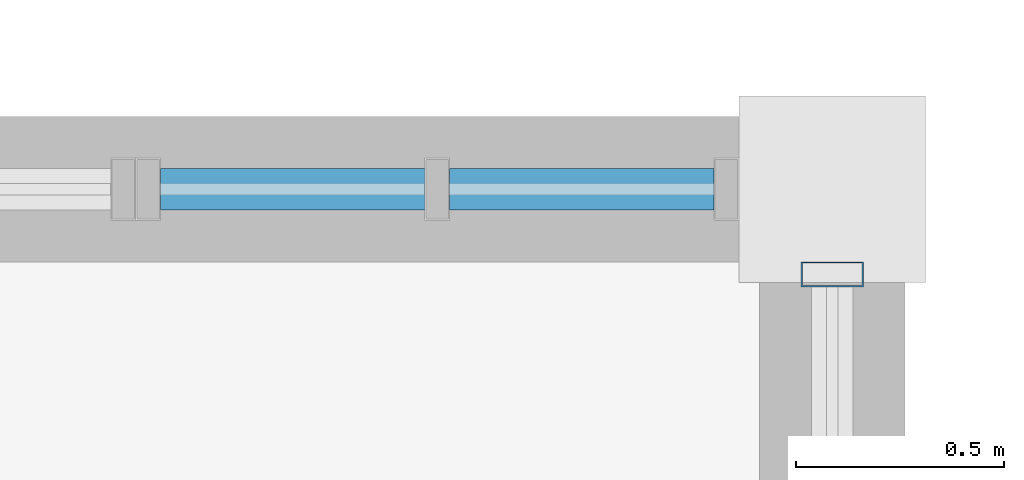
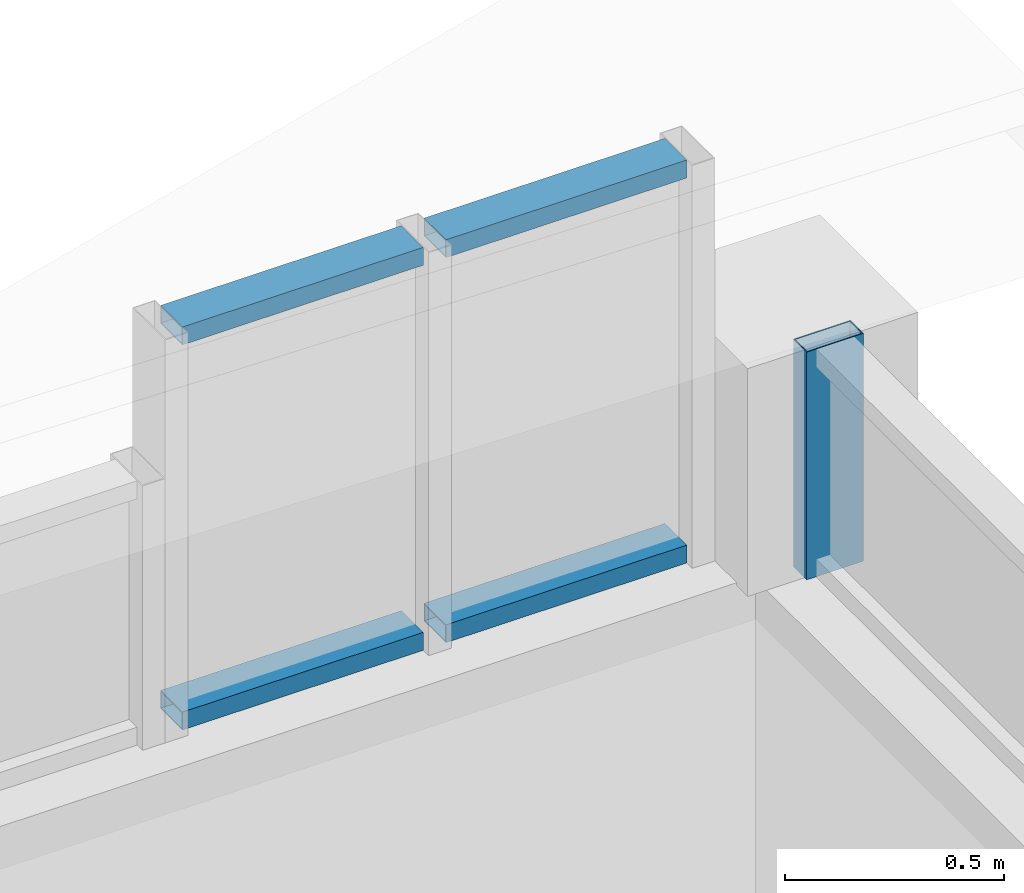
# One storey, part 50 of 92: 5 members, 2 elements without a shape of their own.
"""IFC4 building model written with IfcOpenShell, lengths in metres."""

from ifc_helpers import new_model, si_unit, direction, frame, origin, origin_2d, place, context, subcontext, project, spatial, hollow_rectangle, extrude, material, material_profile, profile_set, type_object, element, aggregate, save


model = new_model("IFC4")

# Units and contexts
model_context = context("Model", 3, precision=1e-05, world=origin(), true_north=direction((0.0, 1.0)))
body_context = subcontext(model_context, "Body", "Model", "MODEL_VIEW")
ifc_project = project(units=[si_unit("LENGTHUNIT", "METRE"), si_unit("AREAUNIT", "SQUARE_METRE"), si_unit("VOLUMEUNIT", "CUBIC_METRE"), si_unit("PLANEANGLEUNIT", "RADIAN"), si_unit("MASSUNIT", "GRAM", prefix="KILO")], contexts=[model_context])

# Site, building, storey
site_placement = place(None, origin())
site = spatial("IfcSite", under=ifc_project, at=site_placement, CompositionType="ELEMENT")
building_placement = place(site_placement, origin())
building = spatial("IfcBuilding", under=site, at=building_placement, Name="Laocheng Heights Fire and Rescue Headquarters", CompositionType="ELEMENT")
storey_placement = place(building_placement, frame((0.0, 0.0, 12.60009765625)))
storey = spatial("IfcBuildingStorey", under=building, at=storey_placement, Name="L03", CompositionType="ELEMENT", Elevation=12.60009765625)

# Curtain wall, member
ifc_material_1 = material(Name="Dark anodised aluminium unitised curtain wall, low-e double glazing", Category="aluminium")
curtain_wall_type_1 = type_object("IfcCurtainWallType", Name="CW 21250 x 636 THEATRE CLERESTORY", PredefinedType="NOTDEFINED", material=ifc_material_1)
curtain_wall_1_placement = place(storey_placement, origin())
curtain_wall_1 = element("IfcCurtainWall", 1, at=curtain_wall_1_placement, inside=storey, type_object=curtain_wall_type_1, Name="X5-V THEATRE CLERESTORY EAST", PredefinedType="NOTDEFINED")
ifc_material_2 = material(Name="Dark anodised aluminium 6063-T5 extrusion", Category="aluminium")
ifc_material_profile_1 = material_profile(ifc_material_2, hollow_rectangle(XDim=0.14990234375, YDim=0.06005859375, WallThickness=0.0029296875, at=origin_2d()), Name="AL MULLION 150x60x3 THEATRE CLERESTORY")
ifc_profile_set_1 = profile_set([ifc_material_profile_1], Name="Dark anodised aluminium 6063-T5 extrusion")
member_type_1 = type_object("IfcMemberType", Name="AL MULLION 150x60x3 THEATRE CLERESTORY", PredefinedType="MULLION", material=ifc_profile_set_1)
member_1_placement = place(storey_placement, frame((30.0, 57.39501953125, 3.14990234375), z_axis=(0.0, 0.0, 1.0), x_axis=(-1.0, 0.0, 0.0)))
member_1 = element("IfcMember", 2, at=member_1_placement, type_object=member_type_1, Name="X5-V mullion 13", PredefinedType="MULLION", context=body_context, shape_type="SweptSolid", body=[
    extrude(hollow_rectangle(XDim=0.14990234375, YDim=0.06005859375, WallThickness=0.0029296875, at=origin_2d()), origin(), (0.0, 0.0, 1.0), 0.63623046875),
])
aggregate(curtain_wall_1, [member_1])

# Curtain wall, members
ifc_material_3 = material(Name="Dark anodised aluminium unitised curtain wall, low-e double glazing", Category="aluminium")
curtain_wall_type_2 = type_object("IfcCurtainWallType", Name="CW 1452 x 1126 THEATRE GABLE UNIT", PredefinedType="NOTDEFINED", material=ifc_material_3)
curtain_wall_2_placement = place(storey_placement, origin())
curtain_wall_2 = element("IfcCurtainWall", 3, at=curtain_wall_2_placement, inside=storey, type_object=curtain_wall_type_2, Name="X14-V THEATRE NORTH GABLE 12", PredefinedType="NOTDEFINED")
ifc_material_4 = material(Name="Dark anodised aluminium 6063-T5 extrusion", Category="aluminium")
ifc_material_profile_2 = material_profile(ifc_material_4, hollow_rectangle(XDim=0.10009765625, YDim=0.050048828125, WallThickness=0.0029296875, at=origin_2d()), Name="AL TRANSOM 100x50x3 THEATRE GABLE UNIT")
ifc_profile_set_2 = profile_set([ifc_material_profile_2], Name="Dark anodised aluminium 6063-T5 extrusion")
member_type_2 = type_object("IfcMemberType", Name="AL TRANSOM 100x50x3 THEATRE GABLE UNIT", PredefinedType="USERDEFINED", material=ifc_profile_set_2)
member_2_placement = place(storey_placement, frame((28.3828125, 57.60009765625, 3.183349609375), z_axis=(1.0, 0.0, 0.0), x_axis=(0.0, 1.0, 0.0)))
member_2 = element("IfcMember", 4, at=member_2_placement, type_object=member_type_2, Name="X14-V transom 1.1", ObjectType="TRANSOM", PredefinedType="USERDEFINED", context=body_context, shape_type="SweptSolid", body=[
    extrude(hollow_rectangle(XDim=0.10009765625, YDim=0.050048828125, WallThickness=0.0029296875, at=origin_2d()), origin(), (0.0, 0.0, 1.0), 0.63623046875),
])
member_3_placement = place(storey_placement, frame((28.3828125, 57.60009765625, 4.2587890625), z_axis=(1.0, 0.0, 0.0), x_axis=(0.0, 1.0, 0.0)))
member_3 = element("IfcMember", 5, at=member_3_placement, type_object=member_type_2, Name="X14-V transom 1.2", ObjectType="TRANSOM", PredefinedType="USERDEFINED", context=body_context, shape_type="SweptSolid", body=[
    extrude(hollow_rectangle(XDim=0.10009765625, YDim=0.050048828125, WallThickness=0.0029296875, at=origin_2d()), origin(), (0.0, 0.0, 1.0), 0.63623046875),
])
member_4_placement = place(storey_placement, frame((29.078857421875, 57.60009765625, 3.183349609375), z_axis=(1.0, 0.0, 0.0), x_axis=(0.0, 1.0, 0.0)))
member_4 = element("IfcMember", 6, at=member_4_placement, type_object=member_type_2, Name="X14-V transom 2.1", ObjectType="TRANSOM", PredefinedType="USERDEFINED", context=body_context, shape_type="SweptSolid", body=[
    extrude(hollow_rectangle(XDim=0.10009765625, YDim=0.050048828125, WallThickness=0.0029296875, at=origin_2d()), origin(), (0.0, 0.0, 1.0), 0.63623046875),
])
member_5_placement = place(storey_placement, frame((29.078857421875, 57.60009765625, 4.2587890625), z_axis=(1.0, 0.0, 0.0), x_axis=(0.0, 1.0, 0.0)))
member_5 = element("IfcMember", 7, at=member_5_placement, type_object=member_type_2, Name="X14-V transom 2.2", ObjectType="TRANSOM", PredefinedType="USERDEFINED", context=body_context, shape_type="SweptSolid", body=[
    extrude(hollow_rectangle(XDim=0.10009765625, YDim=0.050048828125, WallThickness=0.0029296875, at=origin_2d()), origin(), (0.0, 0.0, 1.0), 0.63623046875),
])
aggregate(curtain_wall_2, [member_2, member_3, member_4, member_5])

save(model, "model.ifc")
